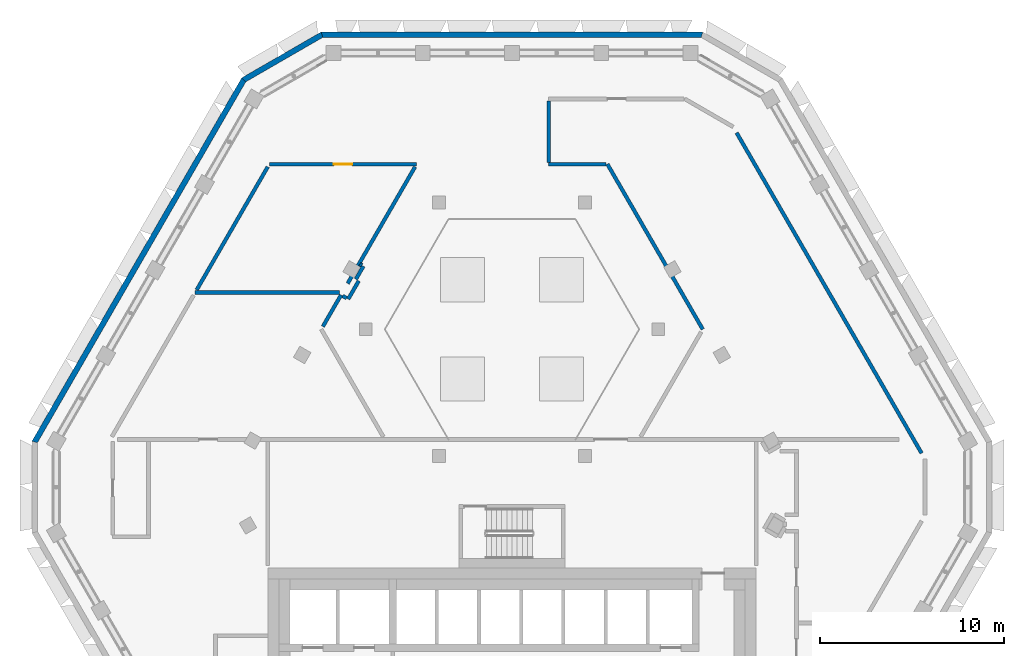
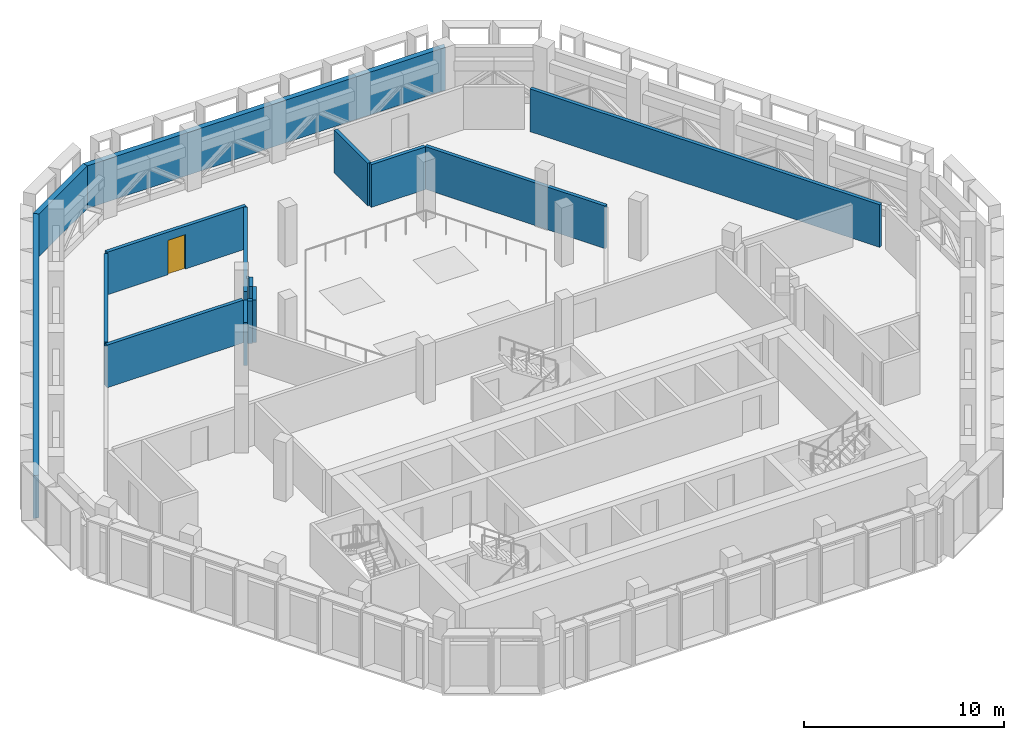
# One storey, part 13 of 24: 16 walls, 1 door, 1 opening.
"""IFC4 building model written with IfcOpenShell, lengths in metres."""

from ifc_helpers import new_model, si_unit, direction, frame, frame_2d, origin, place, context, subcontext, project, spatial, polyline, rectangle, outline, extrude, material, layer, layer_set, type_object, element, fill, save


model = new_model("IFC4")

# Units and contexts
model_context = context("Model", 3, precision=1e-05, world=origin(), true_north=direction((0.0, 1.0)))
body_context = subcontext(model_context, "Body", "Model", "MODEL_VIEW")
ifc_project = project(units=[si_unit("LENGTHUNIT", "METRE"), si_unit("AREAUNIT", "SQUARE_METRE"), si_unit("VOLUMEUNIT", "CUBIC_METRE"), si_unit("PLANEANGLEUNIT", "RADIAN"), si_unit("MASSUNIT", "GRAM", prefix="KILO")], contexts=[model_context])

# Site, building, storey
site_placement = place(None, origin())
site = spatial("IfcSite", under=ifc_project, at=site_placement, CompositionType="ELEMENT")
building_placement = place(site_placement, origin())
building = spatial("IfcBuilding", under=site, at=building_placement, Name="Beryl Residences", CompositionType="ELEMENT")
storey_placement = place(building_placement, frame((0.0, 0.0, 199.199951171875)))
storey = spatial("IfcBuildingStorey", under=building, at=storey_placement, Name="L61", CompositionType="ELEMENT", Elevation=199.199951171875)

# Walls
ifc_material_1 = material(Name="Composite metal panel with mineral wool insulation")
ifc_layer_1 = layer(ifc_material_1, 0.300048828125)
ifc_layer_set_1 = layer_set([ifc_layer_1], Name="ES1 pale metal composite panel wall 300 mm")
wall_type_1 = type_object("IfcWallType", Name="ES1 pale metal composite panel wall 300 mm", PredefinedType="SOLIDWALL", material=ifc_layer_set_1)
wall_1_placement = place(storey_placement, frame((10.39208984375, 24.050048828125, 0.0), z_axis=(0.0, 0.0, 1.0), x_axis=(-1.0, 0.0, 0.0)))
element("IfcWall", 1, at=wall_1_placement, inside=storey, type_object=wall_type_1, Name="ES1 external wall L61 N", PredefinedType="SOLIDWALL", context=body_context, shape_type="SweptSolid", body=[
    extrude(outline(polyline([(0.0, -0.14990234375), (20.7841796875, -0.14990234375), (20.703857421875, 0.14990234375), (0.080322265625, 0.14990234375), (0.0, -0.14990234375)])), origin(), (0.0, 0.0, 1.0), 2.60009765625),
])
wall_2_placement = place(storey_placement, frame((-10.31689453125, 24.070068359375, 0.0), z_axis=(0.0, 0.0, 1.0), x_axis=(-0.866022959057, -0.500004234368, 0.0)))
element("IfcWall", 2, at=wall_2_placement, inside=storey, type_object=wall_type_1, Name="ES1 external wall L61 N-NW", PredefinedType="SOLIDWALL", context=body_context, shape_type="SweptSolid", body=[
    extrude(outline(polyline([(0.0, -0.14990234375), (5.0, -0.14990234375), (4.919677734375, 0.14990234375), (0.080322265625, 0.14990234375), (0.0, -0.14990234375)])), origin(), (0.0, 0.0, 1.0), 2.60009765625),
])
wall_3_placement = place(storey_placement, frame((-14.592041015625, 21.625, 0.0), z_axis=(0.0, 0.0, 1.0), x_axis=(-0.500010537973, -0.866019319597, 0.0)))
element("IfcWall", 3, at=wall_3_placement, inside=storey, type_object=wall_type_1, Name="ES1 external wall L61 NW", PredefinedType="SOLIDWALL", context=body_context, shape_type="SweptSolid", body=[
    extrude(outline(polyline([(0.0, -0.14990234375), (22.86328125, -0.14990234375), (22.782958984375, 0.14990234375), (0.080322265625, 0.14990234375), (0.0, -0.14990234375)])), origin(), (0.0, 0.0, 1.0), 2.60009765625),
])

# Wall, opening, door
ifc_material_2 = material(Name="Double stud gypsum board wall")
ifc_layer_2 = layer(ifc_material_2, 0.199951171875)
ifc_layer_set_2 = layer_set([ifc_layer_2], Name="PT4 corridor wall 200 mm double stud")
wall_type_2 = type_object("IfcWallType", Name="PT4 corridor wall 200 mm double stud", PredefinedType="PARTITIONING", material=ifc_layer_set_2)
wall_4_placement = place(storey_placement, frame((-13.219970703125, 17.0, 0.0), z_axis=(0.0, 0.0, 1.0), x_axis=(1.0, 0.0, 0.0)))
wall_4 = element("IfcWall", 4, at=wall_4_placement, inside=storey, type_object=wall_type_2, Name="Wall PT4 L61 001", PredefinedType="PARTITIONING", context=body_context, shape_type="SweptSolid", body=[
    extrude(rectangle(XDim=8.02392578125, YDim=0.199951171875, at=frame_2d((4.011962890625, 0.0))), origin(), (0.0, 0.0, 1.0), 2.60009765625),
])
opening_placement = place(wall_4_placement, frame((4.510986328125, 0.0, 0.0), z_axis=(0.0, 0.0, 1.0), x_axis=(-1.0, 0.0, 0.0)))
opening = element("IfcOpeningElement", 5, at=opening_placement, cuts=wall_4, Name="Opening L61-03", PredefinedType="OPENING", context=body_context, shape_type="SweptSolid", body=[
    extrude(rectangle(XDim=1.0, YDim=2.10009765625, at=frame_2d((0.5, 1.050048828125))), frame((0.0, 0.10986328125, 0.0), z_axis=(0.0, -1.0, 0.0), x_axis=(1.0, 0.0, 0.0)), (0.0, 0.0, 1.0), 0.219970703125),
])
ifc_material_3 = material(Name="Timber door leaf", Category="wood")
door_type = type_object("IfcDoorType", Name="D9 corridor door 1000 x 2100 mm", OperationType="SINGLE_SWING_LEFT", PredefinedType="DOOR", material=ifc_material_3)
door_placement = place(opening_placement, origin())
door = element("IfcDoor", 6, at=door_placement, inside=storey, type_object=door_type, Name="Door L61-03 L61 001", OperationType="SINGLE_SWING_RIGHT", OverallHeight=2.10009765625, OverallWidth=1.0, PredefinedType="DOOR", context=body_context, shape_type="SweptSolid", body=[
    extrude(rectangle(XDim=1.0, YDim=2.10009765625, at=frame_2d((0.5, 1.050048828125))), frame((0.0, 0.02490234375, 0.0), z_axis=(0.0, -1.0, 0.0), x_axis=(1.0, 0.0, 0.0)), (0.0, 0.0, 1.0), 0.050048828125),
])
fill(opening, door)

# Walls
wall_5_placement = place(storey_placement, frame((-17.175048828125, 10.14990234375, 0.0), z_axis=(0.0, 0.0, 1.0), x_axis=(0.499981047344, 0.866036345829, 0.0)))
element("IfcWall", 7, at=wall_5_placement, inside=storey, type_object=wall_type_2, Name="Wall PT4 L61 004", PredefinedType="PARTITIONING", context=body_context, shape_type="SweptSolid", body=[
    extrude(rectangle(XDim=7.736572265625, YDim=0.199951171875, at=frame_2d((3.8681640625, 0.0))), origin(), (0.0, 0.0, 1.0), 2.60009765625),
])
ifc_material_4 = material(Name="Concrete C40/50", Category="concrete")
ifc_layer_3 = layer(ifc_material_4, 0.199951171875)
ifc_layer_set_3 = layer_set([ifc_layer_3], Name="PT9-200 plant room wall 200 mm")
wall_type_3 = type_object("IfcWallType", Name="PT9-200 plant room wall 200 mm", PredefinedType="SOLIDWALL", material=ifc_layer_set_3)
wall_6_placement = place(storey_placement, frame((-17.261962890625, 10.0, 0.0), z_axis=(0.0, 0.0, 1.0), x_axis=(1.0, 0.0, 0.0)))
element("IfcWall", 8, at=wall_6_placement, inside=storey, type_object=wall_type_3, Name="Wall PT9-200 L61 006", PredefinedType="SOLIDWALL", context=body_context, shape_type="SweptSolid", body=[
    extrude(rectangle(XDim=7.85400390625, YDim=0.199951171875, at=frame_2d((3.927001953125, 0.0))), origin(), (0.0, 0.0, 1.0), 2.60009765625),
])
wall_7_placement = place(storey_placement, frame((2.0, 17.0, 0.0), z_axis=(0.0, 0.0, 1.0), x_axis=(1.0, 0.0, 0.0)))
element("IfcWall", 9, at=wall_7_placement, inside=storey, type_object=wall_type_3, Name="Wall PT9-200 L61 007", PredefinedType="SOLIDWALL", context=body_context, shape_type="SweptSolid", body=[
    extrude(rectangle(XDim=3.115966796875, YDim=0.199951171875, at=frame_2d((1.55810546875, 0.0))), origin(), (0.0, 0.0, 1.0), 2.60009765625),
])
wall_8_placement = place(storey_placement, frame((2.0, 17.10009765625, 0.0), z_axis=(0.0, 0.0, 1.0), x_axis=(0.0, 1.0, 0.0)))
element("IfcWall", 10, at=wall_8_placement, inside=storey, type_object=wall_type_3, Name="Wall PT9-200 L61 009", PredefinedType="SOLIDWALL", context=body_context, shape_type="SweptSolid", body=[
    extrude(rectangle(XDim=3.349853515625, YDim=0.199951171875, at=frame_2d((1.6748046875, 0.0))), origin(), (0.0, 0.0, 1.0), 2.60009765625),
])
wall_9_placement = place(storey_placement, frame((-9.22607421875, 9.820068359375, 0.0), z_axis=(0.0, 0.0, 1.0), x_axis=(0.86558248939, -0.500766366743, 0.0)))
element("IfcWall", 11, at=wall_9_placement, inside=storey, type_object=wall_type_3, Name="Wall PT9-200 L61 015", PredefinedType="SOLIDWALL", context=body_context, shape_type="SweptSolid", body=[
    extrude(rectangle(XDim=0.24951171875, YDim=0.199951171875, at=frame_2d((0.124755859375, 0.0))), origin(), (0.0, 0.0, 1.0), 2.60009765625),
])
wall_10_placement = place(storey_placement, frame((-8.287109375, 11.544921875, 0.0), z_axis=(0.0, 0.0, 1.0), x_axis=(0.864817651778, -0.502086077454, 0.0)))
element("IfcWall", 12, at=wall_10_placement, inside=storey, type_object=wall_type_3, Name="Wall PT9-200 L61 017", PredefinedType="SOLIDWALL", context=body_context, shape_type="SweptSolid", body=[
    extrude(rectangle(XDim=0.119140625, YDim=0.199951171875, at=frame_2d((0.0595703125, 0.0))), origin(), (0.0, 0.0, 1.0), 2.60009765625),
])
wall_11_placement = place(storey_placement, frame((5.196044921875, 17.0, 0.0), z_axis=(0.0, 0.0, 1.0), x_axis=(0.499992241736, -0.866029882974, 0.0)))
element("IfcWall", 13, at=wall_11_placement, inside=storey, type_object=wall_type_3, Name="Wall PT9-200 L61 022", PredefinedType="SOLIDWALL", context=body_context, shape_type="SweptSolid", body=[
    extrude(rectangle(XDim=10.392333984375, YDim=0.199951171875, at=frame_2d((5.1962890625, 0.0))), origin(), (0.0, 0.0, 1.0), 2.60009765625),
])
wall_12_placement = place(storey_placement, frame((12.237060546875, 18.705078125, 0.0), z_axis=(0.0, 0.0, 1.0), x_axis=(0.499970611561, -0.866042370543, 0.0)))
element("IfcWall", 14, at=wall_12_placement, inside=storey, type_object=wall_type_3, Name="Wall PT9-200 L61 023", PredefinedType="SOLIDWALL", context=body_context, shape_type="SweptSolid", body=[
    extrude(rectangle(XDim=20.155029296875, YDim=0.199951171875, at=frame_2d((10.07763671875, 0.0))), origin(), (0.0, 0.0, 1.0), 2.60009765625),
])
wall_13_placement = place(storey_placement, frame((-8.923095703125, 9.64501953125, 0.0), z_axis=(0.0, 0.0, 1.0), x_axis=(0.500295385156, 0.865854795905, 0.0)))
element("IfcWall", 15, at=wall_13_placement, inside=storey, type_object=wall_type_3, Name="Wall PT9-200 L61 029", PredefinedType="SOLIDWALL", context=body_context, shape_type="SweptSolid", body=[
    extrude(rectangle(XDim=1.143310546875, YDim=0.199951171875, at=frame_2d((0.57177734375, 0.0))), origin(), (0.0, 0.0, 1.0), 2.60009765625),
])
wall_14_placement = place(storey_placement, frame((-8.507080078125, 10.72509765625, 0.0), z_axis=(0.0, 0.0, 1.0), x_axis=(0.500237910626, 0.865888002441, 0.0)))
element("IfcWall", 16, at=wall_14_placement, inside=storey, type_object=wall_type_3, Name="Wall PT9-200 L61 030", PredefinedType="SOLIDWALL", context=body_context, shape_type="SweptSolid", body=[
    extrude(rectangle(XDim=0.81982421875, YDim=0.199951171875, at=frame_2d((0.409912109375, 0.0))), origin(), (0.0, 0.0, 1.0), 2.60009765625),
])
wall_15_placement = place(storey_placement, frame((-10.304931640625, 8.14990234375, 0.0), z_axis=(0.0, 0.0, 1.0), x_axis=(0.499537951842, 0.86629200312, 0.0)))
element("IfcWall", 17, at=wall_15_placement, inside=storey, type_object=wall_type_3, Name="Wall PT9-200 L61 031", PredefinedType="SOLIDWALL", context=body_context, shape_type="SweptSolid", body=[
    extrude(rectangle(XDim=1.98583984375, YDim=0.199951171875, at=frame_2d((0.992919921875, 0.0))), origin(), (0.0, 0.0, 1.0), 2.60009765625),
])
wall_16_placement = place(storey_placement, frame((-8.950927734375, 10.498046875, 0.0), z_axis=(0.0, 0.0, 1.0), x_axis=(0.500246557122, 0.86588300716, 0.0)))
element("IfcWall", 18, at=wall_16_placement, inside=storey, type_object=wall_type_3, Name="Wall PT9-200 L61 032", PredefinedType="SOLIDWALL", context=body_context, shape_type="SweptSolid", body=[
    extrude(rectangle(XDim=7.338134765625, YDim=0.199951171875, at=frame_2d((3.6689453125, 0.0))), origin(), (0.0, 0.0, 1.0), 2.60009765625),
])

save(model, "model.ifc")
